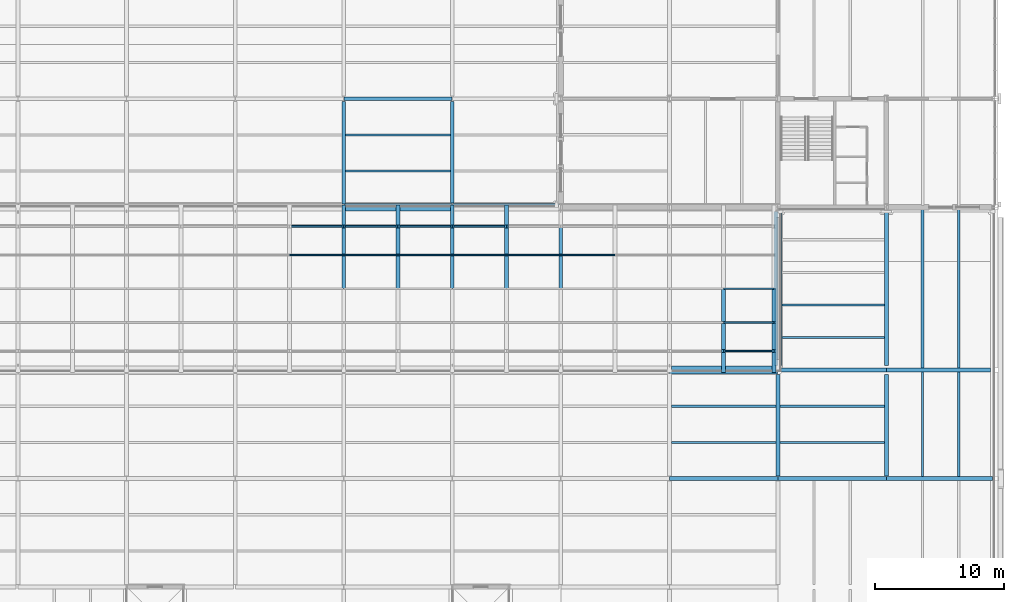
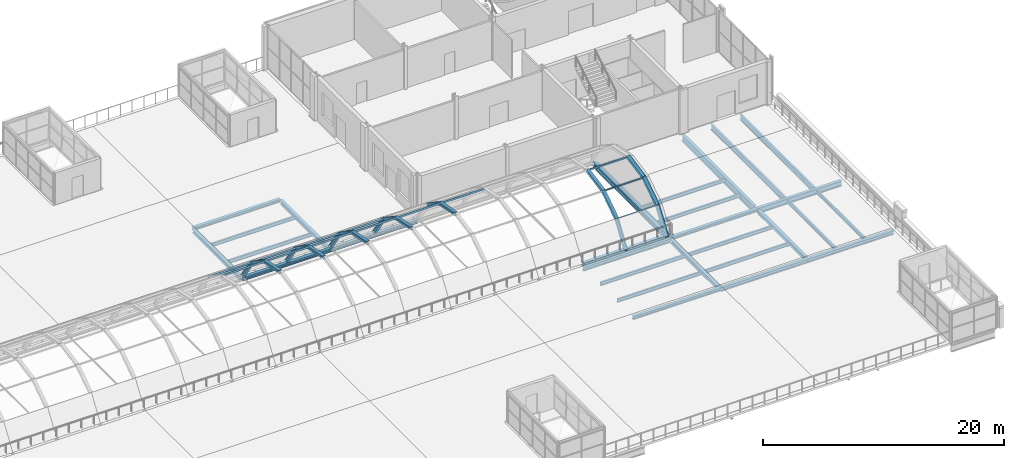
# One storey, part 27 of 58: 33 members, 30 beams.
"""IFC4 building model written with IfcOpenShell, lengths in metres."""

from ifc_helpers import new_model, si_unit, direction, frame, origin, origin_2d, place, context, subcontext, project, spatial, hollow_rectangle, i_section, extrude, material, material_profile, profile_set, type_object, element, save


model = new_model("IFC4")

# Units and contexts
model_context = context("Model", 3, precision=1e-05, world=origin(), true_north=direction((0.0, 1.0)))
body_context = subcontext(model_context, "Body", "Model", "MODEL_VIEW")
ifc_project = project(units=[si_unit("LENGTHUNIT", "METRE"), si_unit("AREAUNIT", "SQUARE_METRE"), si_unit("VOLUMEUNIT", "CUBIC_METRE"), si_unit("PLANEANGLEUNIT", "RADIAN"), si_unit("MASSUNIT", "GRAM", prefix="KILO")], contexts=[model_context])

# Site, building, storey
site_placement = place(None, origin())
site = spatial("IfcSite", under=ifc_project, at=site_placement, CompositionType="ELEMENT")
building_placement = place(site_placement, origin())
building = spatial("IfcBuilding", under=site, at=building_placement, Name="Galleria Vessillo Department Store", CompositionType="ELEMENT")
storey_placement = place(building_placement, frame((0.0, 0.0, 31.199951171875)))
storey = spatial("IfcBuildingStorey", under=building, at=storey_placement, Name="L06", CompositionType="ELEMENT", Elevation=31.199951171875)

# Beams
ifc_material_1 = material(Name="Steel S355 J2", Category="steel")
ifc_material_profile_1 = material_profile(ifc_material_1, i_section(OverallWidth=0.300048828125, OverallDepth=0.389892578125, WebThickness=0.010986328125, FlangeThickness=0.01904296875, FilletRadius=0.027099609375, at=origin_2d()), Name="HEA 400")
ifc_profile_set_1 = profile_set([ifc_material_profile_1], Name="Steel S355 J2")
beam_type_1 = type_object("IfcBeamType", Name="Floor girder HEA 400", PredefinedType="BEAM", material=ifc_profile_set_1)
beam_1_placement = place(storey_placement, frame((100.806884765625, 16.800048828125, -0.39501953125), z_axis=(1.0, 0.0, 0.0), x_axis=(0.0, 1.0, 0.0)))
element("IfcBeam", 1, at=beam_1_placement, inside=storey, type_object=beam_type_1, Name="S-BM-L06-GI-x16800-100807", PredefinedType="BEAM", context=body_context, shape_type="SweptSolid", body=[
    extrude(i_section(OverallWidth=0.300048828125, OverallDepth=0.389892578125, WebThickness=0.010986328125, FlangeThickness=0.01904296875, FilletRadius=0.027099609375, at=origin_2d()), origin(), (0.0, 0.0, 1.0), 8.38623046875),
])
beam_2_placement = place(storey_placement, frame((109.206787109375, 16.800048828125, -0.39501953125), z_axis=(1.0, 0.0, 0.0), x_axis=(0.0, 1.0, 0.0)))
element("IfcBeam", 2, at=beam_2_placement, inside=storey, type_object=beam_type_1, Name="S-BM-L06-GI-x16800-109207", PredefinedType="BEAM", context=body_context, shape_type="SweptSolid", body=[
    extrude(i_section(OverallWidth=0.300048828125, OverallDepth=0.389892578125, WebThickness=0.010986328125, FlangeThickness=0.01904296875, FilletRadius=0.027099609375, at=origin_2d()), origin(), (0.0, 0.0, 1.0), 8.193115234375),
])
beam_3_placement = place(storey_placement, frame((67.199951171875, 38.06201171875, -0.39501953125), z_axis=(0.0, 1.0, 0.0), x_axis=(-1.0, 0.0, 0.0)))
element("IfcBeam", 3, at=beam_3_placement, inside=storey, type_object=beam_type_1, Name="S-BM-L06-GI-y67200-38062", PredefinedType="BEAM", context=body_context, shape_type="SweptSolid", body=[
    extrude(i_section(OverallWidth=0.300048828125, OverallDepth=0.389892578125, WebThickness=0.010986328125, FlangeThickness=0.01904296875, FilletRadius=0.027099609375, at=origin_2d()), origin(), (0.0, 0.0, 1.0), 7.937744140625),
])
beam_4_placement = place(storey_placement, frame((75.60009765625, 38.110107421875, -0.39501953125), z_axis=(0.0, 1.0, 0.0), x_axis=(-1.0, 0.0, 0.0)))
element("IfcBeam", 4, at=beam_4_placement, inside=storey, type_object=beam_type_1, Name="S-BM-L06-GI-y75600-38110", PredefinedType="BEAM", context=body_context, shape_type="SweptSolid", body=[
    extrude(i_section(OverallWidth=0.300048828125, OverallDepth=0.389892578125, WebThickness=0.010986328125, FlangeThickness=0.01904296875, FilletRadius=0.027099609375, at=origin_2d()), origin(), (0.0, 0.0, 1.0), 7.8896484375),
])
for number, where, z_axis, x_axis, name in (
    (5, (100.800048828125, 17.000244140625, -0.39501953125), (0.0, 1.0, 0.0), (-1.0, 0.0, 0.0), "S-BM-L06-GI-y100800-17000"),
    (6, (109.199951171875, 17.000244140625, -0.39501953125), (0.0, 1.0, 0.0), (-1.0, 0.0, 0.0), "S-BM-L06-GI-y109200-17000"),
):
    element("IfcBeam", number, at=place(storey_placement, frame(where, z_axis=z_axis, x_axis=x_axis)), inside=storey, type_object=beam_type_1, Name=name, PredefinedType="BEAM", context=body_context, shape_type="SweptSolid", body=[
        extrude(i_section(OverallWidth=0.300048828125, OverallDepth=0.389892578125, WebThickness=0.010986328125, FlangeThickness=0.01904296875, FilletRadius=0.027099609375, at=origin_2d()), origin(), (0.0, 0.0, 1.0), 7.86572265625),
    ])
ifc_material_2 = material(Name="Steel S355 J2", Category="steel")
ifc_material_profile_2 = material_profile(ifc_material_2, i_section(OverallWidth=0.300048828125, OverallDepth=0.5400390625, WebThickness=0.012451171875, FlangeThickness=0.02392578125, FilletRadius=0.027099609375, at=origin_2d()), Name="HEA 550")
ifc_profile_set_2 = profile_set([ifc_material_profile_2], Name="Steel S355 J2")
beam_type_2 = type_object("IfcBeamType", Name="Floor girder HEA 550", PredefinedType="BEAM", material=ifc_profile_set_2)
beam_5_placement = place(storey_placement, frame((109.210693359375, 25.199951171875, -0.469970703125), z_axis=(1.0, 0.0, 0.0), x_axis=(0.0, 1.0, 0.0)))
element("IfcBeam", 7, at=beam_5_placement, inside=storey, type_object=beam_type_2, Name="S-BM-L06-GI-x25200-109211", PredefinedType="BEAM", context=body_context, shape_type="SweptSolid", body=[
    extrude(i_section(OverallWidth=0.300048828125, OverallDepth=0.5400390625, WebThickness=0.012451171875, FlangeThickness=0.02392578125, FilletRadius=0.027099609375, at=origin_2d()), origin(), (0.0, 0.0, 1.0), 8.05517578125),
])
ifc_material_3 = material(Name="Steel S355 J2", Category="steel")
ifc_material_profile_3 = material_profile(ifc_material_3, i_section(OverallWidth=0.300048828125, OverallDepth=0.68994140625, WebThickness=0.014404296875, FlangeThickness=0.027099609375, FilletRadius=0.027099609375, at=origin_2d()), Name="HEA 700")
ifc_profile_set_3 = profile_set([ifc_material_profile_3], Name="Steel S355 J2")
beam_type_3 = type_object("IfcBeamType", Name="Floor girder HEA 700", PredefinedType="BEAM", material=ifc_profile_set_3)
beam_6_placement = place(storey_placement, frame((109.199951171875, 25.5341796875, -0.544921875), z_axis=(0.0, 1.0, 0.0), x_axis=(-1.0, 0.0, 0.0)))
element("IfcBeam", 8, at=beam_6_placement, inside=storey, type_object=beam_type_3, Name="S-BM-L06-GI-y109200-25534", PredefinedType="BEAM", context=body_context, shape_type="SweptSolid", body=[
    extrude(i_section(OverallWidth=0.300048828125, OverallDepth=0.68994140625, WebThickness=0.014404296875, FlangeThickness=0.027099609375, FilletRadius=0.027099609375, at=origin_2d()), origin(), (0.0, 0.0, 1.0), 12.026611328125),
])
ifc_material_4 = material(Name="Steel S355 J2", Category="steel")
ifc_material_profile_4 = material_profile(ifc_material_4, i_section(OverallWidth=0.169921875, OverallDepth=0.360107421875, WebThickness=0.008056640625, FlangeThickness=0.0126953125, FilletRadius=0.01806640625, at=origin_2d()), Name="IPE 360")
ifc_profile_set_4 = profile_set([ifc_material_profile_4], Name="Steel S355 J2")
beam_type_4 = type_object("IfcBeamType", Name="Floor joist IPE 360", PredefinedType="JOIST", material=ifc_profile_set_4)
for number, where, z_axis, x_axis, name in (
    (9, (67.35009765625, 40.60009765625, -0.3798828125), (1.0, 0.0, 0.0), (0.0, 1.0, 0.0), "S-BM-L06-JO-x40600-67350"),
    (10, (67.35009765625, 43.39990234375, -0.3798828125), (1.0, 0.0, 0.0), (0.0, 1.0, 0.0), "S-BM-L06-JO-x43400-67350"),
    (11, (92.550048828125, 19.60009765625, -0.3798828125), (1.0, 0.0, 0.0), (0.0, 1.0, 0.0), "S-BM-L06-JO-x19600-92550"),
    (12, (92.550048828125, 22.39990234375, -0.3798828125), (1.0, 0.0, 0.0), (0.0, 1.0, 0.0), "S-BM-L06-JO-x22400-92550"),
):
    element("IfcBeam", number, at=place(storey_placement, frame(where, z_axis=z_axis, x_axis=x_axis)), inside=storey, type_object=beam_type_4, Name=name, PredefinedType="JOIST", context=body_context, shape_type="SweptSolid", body=[
        extrude(i_section(OverallWidth=0.169921875, OverallDepth=0.360107421875, WebThickness=0.008056640625, FlangeThickness=0.0126953125, FilletRadius=0.01806640625, at=origin_2d()), origin(), (0.0, 0.0, 1.0), 8.099853515625),
    ])
for number, where, z_axis, x_axis, name in (
    (13, (100.9501953125, 19.60009765625, -0.3798828125), (1.0, 0.0, 0.0), (0.0, 1.0, 0.0), "S-BM-L06-JO-x19600-100950"),
    (14, (100.9501953125, 22.39990234375, -0.3798828125), (1.0, 0.0, 0.0), (0.0, 1.0, 0.0), "S-BM-L06-JO-x22400-100950"),
):
    element("IfcBeam", number, at=place(storey_placement, frame(where, z_axis=z_axis, x_axis=x_axis)), inside=storey, type_object=beam_type_4, Name=name, PredefinedType="JOIST", context=body_context, shape_type="SweptSolid", body=[
        extrude(i_section(OverallWidth=0.169921875, OverallDepth=0.360107421875, WebThickness=0.008056640625, FlangeThickness=0.0126953125, FilletRadius=0.01806640625, at=origin_2d()), origin(), (0.0, 0.0, 1.0), 8.099609375),
    ])
for number, where, z_axis, x_axis, name in (
    (15, (101.10009765625, 27.719970703125, -0.3798828125), (1.0, 0.0, 0.0), (0.0, 1.0, 0.0), "S-BM-L06-JO-x27720-101100"),
    (16, (101.10009765625, 30.239990234375, -0.3798828125), (1.0, 0.0, 0.0), (0.0, 1.0, 0.0), "S-BM-L06-JO-x30240-101100"),
):
    element("IfcBeam", number, at=place(storey_placement, frame(where, z_axis=z_axis, x_axis=x_axis)), inside=storey, type_object=beam_type_4, Name=name, PredefinedType="JOIST", context=body_context, shape_type="SweptSolid", body=[
        extrude(i_section(OverallWidth=0.169921875, OverallDepth=0.360107421875, WebThickness=0.008056640625, FlangeThickness=0.0126953125, FilletRadius=0.01806640625, at=origin_2d()), origin(), (0.0, 0.0, 1.0), 7.94970703125),
    ])
for number, where, z_axis, x_axis, name in (
    (17, (112.0, 16.9501953125, -0.3798828125), (0.0, 1.0, 0.0), (-1.0, 0.0, 0.0), "S-BM-L06-JO-y112000-16950"),
    (18, (114.800048828125, 16.9501953125, -0.3798828125), (0.0, 1.0, 0.0), (-1.0, 0.0, 0.0), "S-BM-L06-JO-y114800-16950"),
):
    element("IfcBeam", number, at=place(storey_placement, frame(where, z_axis=z_axis, x_axis=x_axis)), inside=storey, type_object=beam_type_4, Name=name, PredefinedType="JOIST", context=body_context, shape_type="SweptSolid", body=[
        extrude(i_section(OverallWidth=0.169921875, OverallDepth=0.360107421875, WebThickness=0.008056640625, FlangeThickness=0.0126953125, FilletRadius=0.01806640625, at=origin_2d()), origin(), (0.0, 0.0, 1.0), 8.099609375),
    ])
ifc_material_5 = material(Name="Steel S355 J2", Category="steel")
ifc_material_profile_5 = material_profile(ifc_material_5, i_section(OverallWidth=0.2099609375, OverallDepth=0.550048828125, WebThickness=0.010986328125, FlangeThickness=0.01708984375, FilletRadius=0.02392578125, at=origin_2d()), Name="IPE 550")
ifc_profile_set_5 = profile_set([ifc_material_profile_5], Name="Steel S355 J2")
beam_type_5 = type_object("IfcBeamType", Name="Floor joist IPE 550", PredefinedType="JOIST", material=ifc_profile_set_5)
for number, where, z_axis, x_axis, name in (
    (19, (112.0, 25.35009765625, -0.474853515625), (0.0, 1.0, 0.0), (-1.0, 0.0, 0.0), "S-BM-L06-JO-y112000-25350"),
    (20, (114.800048828125, 25.35009765625, -0.474853515625), (0.0, 1.0, 0.0), (-1.0, 0.0, 0.0), "S-BM-L06-JO-y114800-25350"),
):
    element("IfcBeam", number, at=place(storey_placement, frame(where, z_axis=z_axis, x_axis=x_axis)), inside=storey, type_object=beam_type_5, Name=name, PredefinedType="JOIST", context=body_context, shape_type="SweptSolid", body=[
        extrude(i_section(OverallWidth=0.2099609375, OverallDepth=0.550048828125, WebThickness=0.010986328125, FlangeThickness=0.01708984375, FilletRadius=0.02392578125, at=origin_2d()), origin(), (0.0, 0.0, 1.0), 12.2998046875),
    ])
ifc_material_6 = material(Name="Steel S355 J2", Category="steel")
ifc_material_profile_6 = material_profile(ifc_material_6, i_section(OverallWidth=0.300048828125, OverallDepth=0.31005859375, WebThickness=0.009033203125, FlangeThickness=0.015380859375, FilletRadius=0.027099609375, at=origin_2d()), Name="HEA 320")
ifc_profile_set_6 = profile_set([ifc_material_profile_6], Name="Steel S355 J2")
beam_type_6 = type_object("IfcBeamType", Name="Floor tie girder HEA 320", PredefinedType="BEAM", material=ifc_profile_set_6)
beam_7_placement = place(storey_placement, frame((92.406982421875, 16.800048828125, -0.35498046875), z_axis=(1.0, 0.0, 0.0), x_axis=(0.0, 1.0, 0.0)))
element("IfcBeam", 21, at=beam_7_placement, inside=storey, type_object=beam_type_6, Name="S-BM-L06-TI-x16800-92407", PredefinedType="BEAM", context=body_context, shape_type="SweptSolid", body=[
    extrude(i_section(OverallWidth=0.300048828125, OverallDepth=0.31005859375, WebThickness=0.009033203125, FlangeThickness=0.015380859375, FilletRadius=0.027099609375, at=origin_2d()), origin(), (0.0, 0.0, 1.0), 8.38623046875),
])
beam_8_placement = place(storey_placement, frame((100.810546875, 25.199951171875, -0.35498046875), z_axis=(1.0, 0.0, 0.0), x_axis=(0.0, 1.0, 0.0)))
element("IfcBeam", 22, at=beam_8_placement, inside=storey, type_object=beam_type_6, Name="S-BM-L06-TI-x25200-100811", PredefinedType="BEAM", context=body_context, shape_type="SweptSolid", body=[
    extrude(i_section(OverallWidth=0.300048828125, OverallDepth=0.31005859375, WebThickness=0.009033203125, FlangeThickness=0.015380859375, FilletRadius=0.027099609375, at=origin_2d()), origin(), (0.0, 0.0, 1.0), 8.37890625),
])
beam_9_placement = place(storey_placement, frame((67.206787109375, 46.199951171875, -0.35498046875), z_axis=(1.0, 0.0, 0.0), x_axis=(0.0, 1.0, 0.0)))
element("IfcBeam", 23, at=beam_9_placement, inside=storey, type_object=beam_type_6, Name="S-BM-L06-TI-x46200-67207", PredefinedType="BEAM", context=body_context, shape_type="SweptSolid", body=[
    extrude(i_section(OverallWidth=0.300048828125, OverallDepth=0.31005859375, WebThickness=0.009033203125, FlangeThickness=0.015380859375, FilletRadius=0.027099609375, at=origin_2d()), origin(), (0.0, 0.0, 1.0), 8.38623046875),
])
ifc_material_7 = material(Name="Steel S355 J2", Category="steel")
ifc_material_profile_7 = material_profile(ifc_material_7, i_section(OverallWidth=0.300048828125, OverallDepth=0.389892578125, WebThickness=0.010986328125, FlangeThickness=0.01904296875, FilletRadius=0.027099609375, at=origin_2d()), Name="HEA 400")
ifc_profile_set_7 = profile_set([ifc_material_profile_7], Name="Steel S355 J2")
beam_type_7 = type_object("IfcBeamType", Name="Trimmer beam HEA 400", PredefinedType="BEAM", material=ifc_profile_set_7)
for number, where, z_axis, x_axis, name in (
    (24, (92.41064453125, 25.050048828125, -0.39501953125), (1.0, 0.0, 0.0), (0.0, 1.0, 0.0), "S-BM-L06-TR-x25050-92411"),
    (25, (67.210693359375, 37.949951171875, -0.39501953125), (1.0, 0.0, 0.0), (0.0, 1.0, 0.0), "S-BM-L06-TR-x37950-67211"),
    (26, (75.610595703125, 37.949951171875, -0.39501953125), (1.0, 0.0, 0.0), (0.0, 1.0, 0.0), "S-BM-L06-TR-x37950-75611"),
):
    element("IfcBeam", number, at=place(storey_placement, frame(where, z_axis=z_axis, x_axis=x_axis)), inside=storey, type_object=beam_type_7, Name=name, PredefinedType="BEAM", context=body_context, shape_type="SweptSolid", body=[
        extrude(i_section(OverallWidth=0.300048828125, OverallDepth=0.389892578125, WebThickness=0.010986328125, FlangeThickness=0.01904296875, FilletRadius=0.027099609375, at=origin_2d()), origin(), (0.0, 0.0, 1.0), 8.378662109375),
    ])
ifc_material_8 = material(Name="Steel S355 J2", Category="steel")
ifc_material_profile_8 = material_profile(ifc_material_8, i_section(OverallWidth=0.300048828125, OverallDepth=0.68994140625, WebThickness=0.014404296875, FlangeThickness=0.027099609375, FilletRadius=0.027099609375, at=origin_2d()), Name="HEA 700")
ifc_profile_set_8 = profile_set([ifc_material_profile_8], Name="Steel S355 J2")
beam_type_8 = type_object("IfcBeamType", Name="Trimmer beam HEA 700", PredefinedType="BEAM", material=ifc_profile_set_8)
beam_10_placement = place(storey_placement, frame((100.949951171875, 25.5341796875, -0.544921875), z_axis=(0.0, 1.0, 0.0), x_axis=(-1.0, 0.0, 0.0)))
element("IfcBeam", 27, at=beam_10_placement, inside=storey, type_object=beam_type_8, Name="S-BM-L06-TR-y100950-25534", PredefinedType="BEAM", context=body_context, shape_type="SweptSolid", body=[
    extrude(i_section(OverallWidth=0.300048828125, OverallDepth=0.68994140625, WebThickness=0.014404296875, FlangeThickness=0.027099609375, FilletRadius=0.027099609375, at=origin_2d()), origin(), (0.0, 0.0, 1.0), 12.026611328125),
])
ifc_material_9 = material(Name="Steel S355 J2", Category="steel")
ifc_material_profile_9 = material_profile(ifc_material_9, i_section(OverallWidth=0.300048828125, OverallDepth=0.39990234375, WebThickness=0.013427734375, FlangeThickness=0.02392578125, FilletRadius=0.027099609375, at=origin_2d()), Name="HEB 400")
ifc_profile_set_9 = profile_set([ifc_material_profile_9], Name="Steel S355 J2")
beam_type_9 = type_object("IfcBeamType", Name="Tympanum sill beam HEB 400", PredefinedType="BEAM", material=ifc_profile_set_9)
beam_11_placement = place(storey_placement, frame((100.64990234375, 25.5341796875, -0.14990234375), z_axis=(0.0, 1.0, 0.0), x_axis=(-1.0, 0.0, 0.0)))
element("IfcBeam", 28, at=beam_11_placement, inside=storey, type_object=beam_type_9, Name="S-TS-E", PredefinedType="BEAM", context=body_context, shape_type="SweptSolid", body=[
    extrude(i_section(OverallWidth=0.300048828125, OverallDepth=0.39990234375, WebThickness=0.013427734375, FlangeThickness=0.02392578125, FilletRadius=0.027099609375, at=origin_2d()), origin(), (0.0, 0.0, 1.0), 11.931640625),
])

# Members
ifc_material_10 = material(Name="Steel S355 J2", Category="steel")
ifc_material_profile_10 = material_profile(ifc_material_10, hollow_rectangle(XDim=0.10009765625, YDim=0.14990234375, WallThickness=0.008056640625, at=origin_2d()), Name="RHS 150x100x8")
ifc_profile_set_10 = profile_set([ifc_material_profile_10], Name="Steel S355 J2")
member_type_1 = type_object("IfcMemberType", Name="Vault purlin RHS 150x100x8", PredefinedType="PURLIN", material=ifc_profile_set_10)
for number, where, z_axis, x_axis, name in (
    (29, (96.604248046875, 26.6806640625, 2.207763671875), (1.0, 0.0, 0.0), (0.0, 0.708077368705, 0.70613485959), "S-VP-1-20"),
    (30, (96.604248046875, 28.892578125, 3.682373046875), (1.0, 0.0, 0.0), (0.0, 0.924144726715, 0.38204256842), "S-VP-2-20"),
    (31, (96.604248046875, 31.5, 4.199951171875), (1.0, 0.0, 0.0), (0.0, 1.0, 0.0), "S-VP-3-20"),
):
    element("IfcMember", number, at=place(storey_placement, frame(where, z_axis=z_axis, x_axis=x_axis)), inside=storey, type_object=member_type_1, Name=name, PredefinedType="PURLIN", context=body_context, shape_type="SweptSolid", body=[
        extrude(hollow_rectangle(XDim=0.10009765625, YDim=0.14990234375, WallThickness=0.008056640625, at=origin_2d()), origin(), (0.0, 0.0, 1.0), 3.8916015625),
    ])
for number, where, z_axis, x_axis, name in (
    (32, (63.004150390625, 34.107421875, 3.682373046875), (1.0, 0.0, 0.0), (0.0, 0.924144726715, -0.38204256842), "S-VP-4-12"),
    (33, (67.2041015625, 34.107421875, 3.682373046875), (1.0, 0.0, 0.0), (0.0, 0.924144726715, -0.38204256842), "S-VP-4-13"),
):
    element("IfcMember", number, at=place(storey_placement, frame(where, z_axis=z_axis, x_axis=x_axis)), inside=storey, type_object=member_type_1, Name=name, PredefinedType="PURLIN", context=body_context, shape_type="SweptSolid", body=[
        extrude(hollow_rectangle(XDim=0.10009765625, YDim=0.14990234375, WallThickness=0.008056640625, at=origin_2d()), origin(), (0.0, 0.0, 1.0), 4.191650390625),
    ])
member_1_placement = place(storey_placement, frame((71.404052734375, 34.107421875, 3.682373046875), z_axis=(1.0, 0.0, 0.0), x_axis=(0.0, 0.924144726715, -0.38204256842)))
element("IfcMember", 34, at=member_1_placement, inside=storey, type_object=member_type_1, Name="S-VP-4-14", PredefinedType="PURLIN", context=body_context, shape_type="SweptSolid", body=[
    extrude(hollow_rectangle(XDim=0.10009765625, YDim=0.14990234375, WallThickness=0.008056640625, at=origin_2d()), origin(), (0.0, 0.0, 1.0), 4.19189453125),
])
for number, where, z_axis, x_axis, name in (
    (35, (75.604248046875, 34.107421875, 3.682373046875), (1.0, 0.0, 0.0), (0.0, 0.924144726715, -0.38204256842), "S-VP-4-15"),
    (36, (79.80419921875, 34.107421875, 3.682373046875), (1.0, 0.0, 0.0), (0.0, 0.924144726715, -0.38204256842), "S-VP-4-16"),
    (37, (84.004150390625, 34.107421875, 3.682373046875), (1.0, 0.0, 0.0), (0.0, 0.924144726715, -0.38204256842), "S-VP-4-17"),
    (38, (63.004150390625, 36.3193359375, 2.207763671875), (1.0, 0.0, 0.0), (0.0, 0.708077368705, -0.70613485959), "S-VP-5-12"),
    (39, (67.2041015625, 36.3193359375, 2.207763671875), (1.0, 0.0, 0.0), (0.0, 0.708077368705, -0.70613485959), "S-VP-5-13"),
):
    element("IfcMember", number, at=place(storey_placement, frame(where, z_axis=z_axis, x_axis=x_axis)), inside=storey, type_object=member_type_1, Name=name, PredefinedType="PURLIN", context=body_context, shape_type="SweptSolid", body=[
        extrude(hollow_rectangle(XDim=0.10009765625, YDim=0.14990234375, WallThickness=0.008056640625, at=origin_2d()), origin(), (0.0, 0.0, 1.0), 4.191650390625),
    ])
member_2_placement = place(storey_placement, frame((71.404052734375, 36.3193359375, 2.207763671875), z_axis=(1.0, 0.0, 0.0), x_axis=(0.0, 0.708077368705, -0.70613485959)))
element("IfcMember", 40, at=member_2_placement, inside=storey, type_object=member_type_1, Name="S-VP-5-14", PredefinedType="PURLIN", context=body_context, shape_type="SweptSolid", body=[
    extrude(hollow_rectangle(XDim=0.10009765625, YDim=0.14990234375, WallThickness=0.008056640625, at=origin_2d()), origin(), (0.0, 0.0, 1.0), 4.19189453125),
])
member_3_placement = place(storey_placement, frame((75.604248046875, 36.3193359375, 2.207763671875), z_axis=(1.0, 0.0, 0.0), x_axis=(0.0, 0.708077368705, -0.70613485959)))
element("IfcMember", 41, at=member_3_placement, inside=storey, type_object=member_type_1, Name="S-VP-5-15", PredefinedType="PURLIN", context=body_context, shape_type="SweptSolid", body=[
    extrude(hollow_rectangle(XDim=0.10009765625, YDim=0.14990234375, WallThickness=0.008056640625, at=origin_2d()), origin(), (0.0, 0.0, 1.0), 4.191650390625),
])
ifc_material_11 = material(Name="Steel S355 J2", Category="steel")
ifc_material_profile_11 = material_profile(ifc_material_11, i_section(OverallWidth=0.300048828125, OverallDepth=0.2900390625, WebThickness=0.008544921875, FlangeThickness=0.013916015625, FilletRadius=0.027099609375, at=origin_2d()), Name="HEA 300")
ifc_profile_set_11 = profile_set([ifc_material_profile_11], Name="Steel S355 J2")
member_type_2 = type_object("IfcMemberType", Name="Vault rib HEA 300", PredefinedType="RAFTER", material=ifc_profile_set_11)
member_4_placement = place(storey_placement, frame((67.199951171875, 31.5, 4.199951171875), z_axis=(0.0, 0.980862245521, -0.194702992557), x_axis=(-1.0, 0.0, 0.0)))
element("IfcMember", 42, at=member_4_placement, inside=storey, type_object=member_type_2, Name="S-VR-13-4", PredefinedType="RAFTER", context=body_context, shape_type="SweptSolid", body=[
    extrude(i_section(OverallWidth=0.300048828125, OverallDepth=0.2900390625, WebThickness=0.008544921875, FlangeThickness=0.013916015625, FilletRadius=0.027099609375, at=origin_2d()), origin(), (0.0, 0.0, 1.0), 2.658203125),
])
member_5_placement = place(storey_placement, frame((67.199951171875, 34.107421875, 3.682373046875), z_axis=(0.0, 0.832050294338, -0.554700196225), x_axis=(-1.0, 0.0, 0.0)))
element("IfcMember", 43, at=member_5_placement, inside=storey, type_object=member_type_2, Name="S-VR-13-5", PredefinedType="RAFTER", context=body_context, shape_type="SweptSolid", body=[
    extrude(i_section(OverallWidth=0.300048828125, OverallDepth=0.2900390625, WebThickness=0.008544921875, FlangeThickness=0.013916015625, FilletRadius=0.027099609375, at=origin_2d()), origin(), (0.0, 0.0, 1.0), 2.658447265625),
])
member_6_placement = place(storey_placement, frame((67.199951171875, 36.3193359375, 2.207763671875), z_axis=(0.0, 0.557008391095, -0.830506864661), x_axis=(-1.0, 0.0, 0.0)))
element("IfcMember", 44, at=member_6_placement, inside=storey, type_object=member_type_2, Name="S-VR-13-6", PredefinedType="RAFTER", context=body_context, shape_type="SweptSolid", body=[
    extrude(i_section(OverallWidth=0.300048828125, OverallDepth=0.2900390625, WebThickness=0.008544921875, FlangeThickness=0.013916015625, FilletRadius=0.027099609375, at=origin_2d()), origin(), (0.0, 0.0, 1.0), 2.755615234375),
])
member_7_placement = place(storey_placement, frame((71.39990234375, 31.5, 4.199951171875), z_axis=(0.0, 0.980862245521, -0.194702992557), x_axis=(-1.0, 0.0, 0.0)))
element("IfcMember", 45, at=member_7_placement, inside=storey, type_object=member_type_2, Name="S-VR-14-4", PredefinedType="RAFTER", context=body_context, shape_type="SweptSolid", body=[
    extrude(i_section(OverallWidth=0.300048828125, OverallDepth=0.2900390625, WebThickness=0.008544921875, FlangeThickness=0.013916015625, FilletRadius=0.027099609375, at=origin_2d()), origin(), (0.0, 0.0, 1.0), 2.658203125),
])
member_8_placement = place(storey_placement, frame((71.39990234375, 34.107421875, 3.682373046875), z_axis=(0.0, 0.832050294338, -0.554700196225), x_axis=(-1.0, 0.0, 0.0)))
element("IfcMember", 46, at=member_8_placement, inside=storey, type_object=member_type_2, Name="S-VR-14-5", PredefinedType="RAFTER", context=body_context, shape_type="SweptSolid", body=[
    extrude(i_section(OverallWidth=0.300048828125, OverallDepth=0.2900390625, WebThickness=0.008544921875, FlangeThickness=0.013916015625, FilletRadius=0.027099609375, at=origin_2d()), origin(), (0.0, 0.0, 1.0), 2.658447265625),
])
member_9_placement = place(storey_placement, frame((71.39990234375, 36.3193359375, 2.207763671875), z_axis=(0.0, 0.557008391095, -0.830506864661), x_axis=(-1.0, 0.0, 0.0)))
element("IfcMember", 47, at=member_9_placement, inside=storey, type_object=member_type_2, Name="S-VR-14-6", PredefinedType="RAFTER", context=body_context, shape_type="SweptSolid", body=[
    extrude(i_section(OverallWidth=0.300048828125, OverallDepth=0.2900390625, WebThickness=0.008544921875, FlangeThickness=0.013916015625, FilletRadius=0.027099609375, at=origin_2d()), origin(), (0.0, 0.0, 1.0), 2.755615234375),
])
member_10_placement = place(storey_placement, frame((75.60009765625, 31.5, 4.199951171875), z_axis=(0.0, 0.980862245521, -0.194702992557), x_axis=(-1.0, 0.0, 0.0)))
element("IfcMember", 48, at=member_10_placement, inside=storey, type_object=member_type_2, Name="S-VR-15-4", PredefinedType="RAFTER", context=body_context, shape_type="SweptSolid", body=[
    extrude(i_section(OverallWidth=0.300048828125, OverallDepth=0.2900390625, WebThickness=0.008544921875, FlangeThickness=0.013916015625, FilletRadius=0.027099609375, at=origin_2d()), origin(), (0.0, 0.0, 1.0), 2.658203125),
])
member_11_placement = place(storey_placement, frame((75.60009765625, 34.107421875, 3.682373046875), z_axis=(0.0, 0.832050294338, -0.554700196225), x_axis=(-1.0, 0.0, 0.0)))
element("IfcMember", 49, at=member_11_placement, inside=storey, type_object=member_type_2, Name="S-VR-15-5", PredefinedType="RAFTER", context=body_context, shape_type="SweptSolid", body=[
    extrude(i_section(OverallWidth=0.300048828125, OverallDepth=0.2900390625, WebThickness=0.008544921875, FlangeThickness=0.013916015625, FilletRadius=0.027099609375, at=origin_2d()), origin(), (0.0, 0.0, 1.0), 2.658447265625),
])
member_12_placement = place(storey_placement, frame((75.60009765625, 36.3193359375, 2.207763671875), z_axis=(0.0, 0.557008391095, -0.830506864661), x_axis=(-1.0, 0.0, 0.0)))
element("IfcMember", 50, at=member_12_placement, inside=storey, type_object=member_type_2, Name="S-VR-15-6", PredefinedType="RAFTER", context=body_context, shape_type="SweptSolid", body=[
    extrude(i_section(OverallWidth=0.300048828125, OverallDepth=0.2900390625, WebThickness=0.008544921875, FlangeThickness=0.013916015625, FilletRadius=0.027099609375, at=origin_2d()), origin(), (0.0, 0.0, 1.0), 2.755615234375),
])
member_13_placement = place(storey_placement, frame((79.800048828125, 31.5, 4.199951171875), z_axis=(0.0, 0.980862245521, -0.194702992557), x_axis=(-1.0, 0.0, 0.0)))
element("IfcMember", 51, at=member_13_placement, inside=storey, type_object=member_type_2, Name="S-VR-16-4", PredefinedType="RAFTER", context=body_context, shape_type="SweptSolid", body=[
    extrude(i_section(OverallWidth=0.300048828125, OverallDepth=0.2900390625, WebThickness=0.008544921875, FlangeThickness=0.013916015625, FilletRadius=0.027099609375, at=origin_2d()), origin(), (0.0, 0.0, 1.0), 2.658203125),
])
member_14_placement = place(storey_placement, frame((79.800048828125, 34.107421875, 3.682373046875), z_axis=(0.0, 0.832050294338, -0.554700196225), x_axis=(-1.0, 0.0, 0.0)))
element("IfcMember", 52, at=member_14_placement, inside=storey, type_object=member_type_2, Name="S-VR-16-5", PredefinedType="RAFTER", context=body_context, shape_type="SweptSolid", body=[
    extrude(i_section(OverallWidth=0.300048828125, OverallDepth=0.2900390625, WebThickness=0.008544921875, FlangeThickness=0.013916015625, FilletRadius=0.027099609375, at=origin_2d()), origin(), (0.0, 0.0, 1.0), 2.658447265625),
])
member_15_placement = place(storey_placement, frame((79.800048828125, 36.3193359375, 2.207763671875), z_axis=(0.0, 0.557008391095, -0.830506864661), x_axis=(-1.0, 0.0, 0.0)))
element("IfcMember", 53, at=member_15_placement, inside=storey, type_object=member_type_2, Name="S-VR-16-6", PredefinedType="RAFTER", context=body_context, shape_type="SweptSolid", body=[
    extrude(i_section(OverallWidth=0.300048828125, OverallDepth=0.2900390625, WebThickness=0.008544921875, FlangeThickness=0.013916015625, FilletRadius=0.027099609375, at=origin_2d()), origin(), (0.0, 0.0, 1.0), 2.755615234375),
])
member_16_placement = place(storey_placement, frame((84.0, 31.5, 4.199951171875), z_axis=(0.0, 0.980862245521, -0.194702992557), x_axis=(-1.0, 0.0, 0.0)))
element("IfcMember", 54, at=member_16_placement, inside=storey, type_object=member_type_2, Name="S-VR-17-4", PredefinedType="RAFTER", context=body_context, shape_type="SweptSolid", body=[
    extrude(i_section(OverallWidth=0.300048828125, OverallDepth=0.2900390625, WebThickness=0.008544921875, FlangeThickness=0.013916015625, FilletRadius=0.027099609375, at=origin_2d()), origin(), (0.0, 0.0, 1.0), 2.658203125),
])
member_17_placement = place(storey_placement, frame((84.0, 34.107421875, 3.682373046875), z_axis=(0.0, 0.832050294338, -0.554700196225), x_axis=(-1.0, 0.0, 0.0)))
element("IfcMember", 55, at=member_17_placement, inside=storey, type_object=member_type_2, Name="S-VR-17-5", PredefinedType="RAFTER", context=body_context, shape_type="SweptSolid", body=[
    extrude(i_section(OverallWidth=0.300048828125, OverallDepth=0.2900390625, WebThickness=0.008544921875, FlangeThickness=0.013916015625, FilletRadius=0.027099609375, at=origin_2d()), origin(), (0.0, 0.0, 1.0), 2.658447265625),
])
member_18_placement = place(storey_placement, frame((96.60009765625, 25.145751953125, -0.080810546875), z_axis=(0.0, 0.557008391095, 0.830506864661), x_axis=(-1.0, 0.0, 0.0)))
element("IfcMember", 56, at=member_18_placement, inside=storey, type_object=member_type_2, Name="S-VR-20-1", PredefinedType="RAFTER", context=body_context, shape_type="SweptSolid", body=[
    extrude(i_section(OverallWidth=0.300048828125, OverallDepth=0.2900390625, WebThickness=0.008544921875, FlangeThickness=0.013916015625, FilletRadius=0.027099609375, at=origin_2d()), origin(), (0.0, 0.0, 1.0), 2.755615234375),
])
member_19_placement = place(storey_placement, frame((96.60009765625, 26.6806640625, 2.207763671875), z_axis=(0.0, 0.832050294338, 0.554700196225), x_axis=(-1.0, 0.0, 0.0)))
element("IfcMember", 57, at=member_19_placement, inside=storey, type_object=member_type_2, Name="S-VR-20-2", PredefinedType="RAFTER", context=body_context, shape_type="SweptSolid", body=[
    extrude(i_section(OverallWidth=0.300048828125, OverallDepth=0.2900390625, WebThickness=0.008544921875, FlangeThickness=0.013916015625, FilletRadius=0.027099609375, at=origin_2d()), origin(), (0.0, 0.0, 1.0), 2.658447265625),
])
member_20_placement = place(storey_placement, frame((96.60009765625, 28.892578125, 3.682373046875), z_axis=(0.0, 0.980862245521, 0.194702992557), x_axis=(-1.0, 0.0, 0.0)))
element("IfcMember", 58, at=member_20_placement, inside=storey, type_object=member_type_2, Name="S-VR-20-3", PredefinedType="RAFTER", context=body_context, shape_type="SweptSolid", body=[
    extrude(i_section(OverallWidth=0.300048828125, OverallDepth=0.2900390625, WebThickness=0.008544921875, FlangeThickness=0.013916015625, FilletRadius=0.027099609375, at=origin_2d()), origin(), (0.0, 0.0, 1.0), 2.658203125),
])
member_21_placement = place(storey_placement, frame((100.5, 25.145751953125, -0.080810546875), z_axis=(0.0, 0.557008391095, 0.830506864661), x_axis=(-1.0, 0.0, 0.0)))
element("IfcMember", 59, at=member_21_placement, inside=storey, type_object=member_type_2, Name="S-VR-21-1", PredefinedType="RAFTER", context=body_context, shape_type="SweptSolid", body=[
    extrude(i_section(OverallWidth=0.300048828125, OverallDepth=0.2900390625, WebThickness=0.008544921875, FlangeThickness=0.013916015625, FilletRadius=0.027099609375, at=origin_2d()), origin(), (0.0, 0.0, 1.0), 2.755615234375),
])
member_22_placement = place(storey_placement, frame((100.5, 26.6806640625, 2.207763671875), z_axis=(0.0, 0.832050294338, 0.554700196225), x_axis=(-1.0, 0.0, 0.0)))
element("IfcMember", 60, at=member_22_placement, inside=storey, type_object=member_type_2, Name="S-VR-21-2", PredefinedType="RAFTER", context=body_context, shape_type="SweptSolid", body=[
    extrude(i_section(OverallWidth=0.300048828125, OverallDepth=0.2900390625, WebThickness=0.008544921875, FlangeThickness=0.013916015625, FilletRadius=0.027099609375, at=origin_2d()), origin(), (0.0, 0.0, 1.0), 2.658447265625),
])
member_23_placement = place(storey_placement, frame((100.5, 28.892578125, 3.682373046875), z_axis=(0.0, 0.980862245521, 0.194702992557), x_axis=(-1.0, 0.0, 0.0)))
element("IfcMember", 61, at=member_23_placement, inside=storey, type_object=member_type_2, Name="S-VR-21-3", PredefinedType="RAFTER", context=body_context, shape_type="SweptSolid", body=[
    extrude(i_section(OverallWidth=0.300048828125, OverallDepth=0.2900390625, WebThickness=0.008544921875, FlangeThickness=0.013916015625, FilletRadius=0.027099609375, at=origin_2d()), origin(), (0.0, 0.0, 1.0), 2.658203125),
])

# Beams
ifc_material_12 = material(Name="Steel S355 J2", Category="steel")
ifc_material_profile_12 = material_profile(ifc_material_12, i_section(OverallWidth=0.300048828125, OverallDepth=0.300048828125, WebThickness=0.010986328125, FlangeThickness=0.01904296875, FilletRadius=0.027099609375, at=origin_2d()), Name="HEB 300")
ifc_profile_set_12 = profile_set([ifc_material_profile_12], Name="Steel S355 J2")
beam_type_10 = type_object("IfcBeamType", Name="Vault springer beam HEB 300", PredefinedType="BEAM", material=ifc_profile_set_12)
for number, where, z_axis, x_axis, name in (
    (62, (92.55322265625, 25.35009765625, -0.14990234375), (1.0, 0.0, 0.0), (0.0, 1.0, 0.0), "S-VS-S-10"),
    (63, (67.35302734375, 37.64990234375, -0.14990234375), (1.0, 0.0, 0.0), (0.0, 1.0, 0.0), "S-VS-N-07"),
):
    element("IfcBeam", number, at=place(storey_placement, frame(where, z_axis=z_axis, x_axis=x_axis)), inside=storey, type_object=beam_type_10, Name=name, PredefinedType="BEAM", context=body_context, shape_type="SweptSolid", body=[
        extrude(i_section(OverallWidth=0.300048828125, OverallDepth=0.300048828125, WebThickness=0.010986328125, FlangeThickness=0.01904296875, FilletRadius=0.027099609375, at=origin_2d()), origin(), (0.0, 0.0, 1.0), 8.09423828125),
    ])

save(model, "model.ifc")
